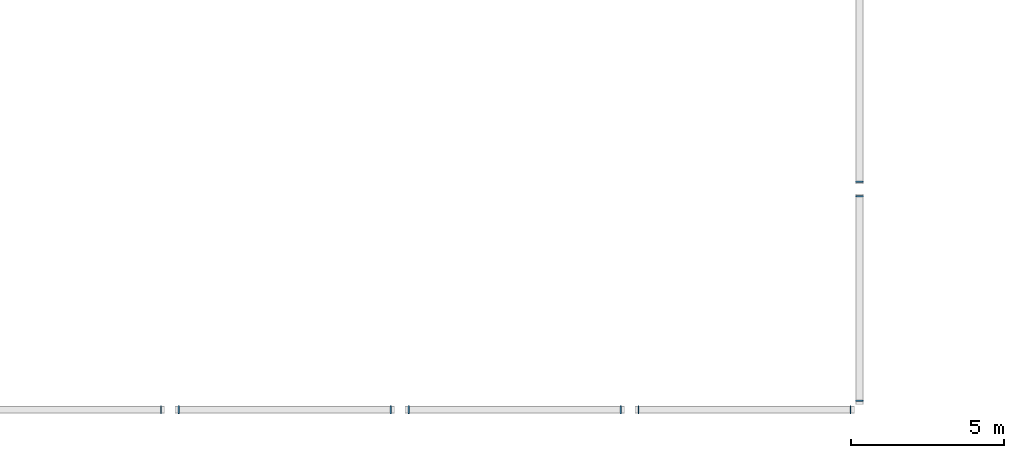
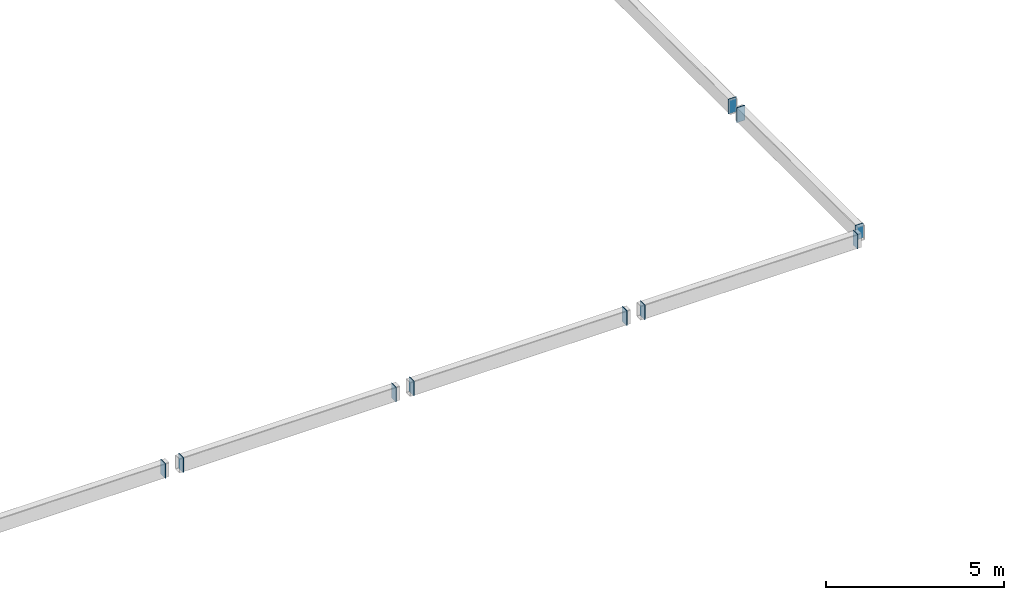
# One storey, part 30 of 45: 10 plates.
"""IFC4 building model written with IfcOpenShell, lengths in metres."""

from ifc_helpers import new_model, si_unit, direction, frame, origin, origin_2d, place, context, subcontext, project, spatial, rectangle, extrude, material, layer, layer_set, type_object, element, save


model = new_model("IFC4")

# Units and contexts
model_context = context("Model", 3, precision=1e-05, world=origin(), true_north=direction((0.0, 1.0)))
body_context = subcontext(model_context, "Body", "Model", "MODEL_VIEW")
ifc_project = project(units=[si_unit("LENGTHUNIT", "METRE"), si_unit("AREAUNIT", "SQUARE_METRE"), si_unit("VOLUMEUNIT", "CUBIC_METRE"), si_unit("PLANEANGLEUNIT", "RADIAN"), si_unit("MASSUNIT", "GRAM", prefix="KILO")], contexts=[model_context])

# Site, building, storey
site_placement = place(None, origin())
site = spatial("IfcSite", under=ifc_project, at=site_placement, CompositionType="ELEMENT")
building_placement = place(site_placement, origin())
building = spatial("IfcBuilding", under=site, at=building_placement, Name="Yukiwa Park Conservatory and Herbarium", CompositionType="ELEMENT")
storey_placement = place(building_placement, frame((0.0, 0.0, 9.0)))
storey = spatial("IfcBuildingStorey", under=building, at=storey_placement, Name="L02", CompositionType="ELEMENT", Elevation=9.0)

# Plates
ifc_material = material(Name="Steel Q355D", Category="steel")
ifc_layer = layer(ifc_material, 0.02392578125)
ifc_layer_set = layer_set([ifc_layer], Name="Steel Q355D")
plate_type = type_object("IfcPlateType", Name="PL-CAP-24", PredefinedType="USERDEFINED", material=ifc_layer_set)
for number, where, z_axis, x_axis, name in (
    (1, (37.197021484375, 0.0, -0.25), (1.0, 0.0, 0.0), (0.0, 1.0, 0.0), "Hollow section end cap plate CAP-VRNG-S-5B"),
    (2, (37.802978515625, 0.0, -0.25), (-1.0, 0.0, 0.0), (0.0, -1.0, 0.0), "Hollow section end cap plate CAP-VRNG-S-6A"),
    (3, (44.697021484375, 0.0, -0.25), (1.0, 0.0, 0.0), (0.0, 1.0, 0.0), "Hollow section end cap plate CAP-VRNG-S-6B"),
    (4, (45.302978515625, 0.0, -0.25), (-1.0, 0.0, 0.0), (0.0, -1.0, 0.0), "Hollow section end cap plate CAP-VRNG-S-7A"),
    (5, (52.197021484375, 0.0, -0.25), (1.0, 0.0, 0.0), (0.0, 1.0, 0.0), "Hollow section end cap plate CAP-VRNG-S-7B"),
    (6, (52.802978515625, 0.0, -0.25), (-1.0, 0.0, 0.0), (0.0, -1.0, 0.0), "Hollow section end cap plate CAP-VRNG-S-8A"),
    (7, (59.697021484375, 0.0, -0.25), (1.0, 0.0, 0.0), (0.0, 1.0, 0.0), "Hollow section end cap plate CAP-VRNG-S-8B"),
    (8, (60.0, 0.302978515625, -0.25), (0.0, -1.0, 0.0), (1.0, 0.0, 0.0), "Hollow section end cap plate CAP-VGBL-E-1A"),
):
    element("IfcPlate", number, at=place(storey_placement, frame(where, z_axis=z_axis, x_axis=x_axis)), inside=storey, type_object=plate_type, Name=name, ObjectType="END CAP PLATE", PredefinedType="USERDEFINED", context=body_context, shape_type="SweptSolid", body=[
        extrude(rectangle(XDim=0.258056640625, YDim=0.508056640625, at=origin_2d()), origin(), (0.0, 0.0, 1.0), 0.02392578125),
    ])
plate_1_placement = place(storey_placement, frame((60.0, 6.949951171875, -0.25), z_axis=(0.0, 1.0, 0.0), x_axis=(-1.0, 0.0, 0.0)))
element("IfcPlate", 9, at=plate_1_placement, inside=storey, type_object=plate_type, Name="Hollow section end cap plate CAP-VGBL-E-1B", ObjectType="END CAP PLATE", PredefinedType="USERDEFINED", context=body_context, shape_type="SweptSolid", body=[
    extrude(rectangle(XDim=0.258056640625, YDim=0.508056640625, at=origin_2d()), origin(), (0.0, 0.0, 1.0), 0.024169921875),
])
plate_2_placement = place(storey_placement, frame((60.0, 7.449951171875, -0.25), z_axis=(0.0, -1.0, 0.0), x_axis=(1.0, 0.0, 0.0)))
element("IfcPlate", 10, at=plate_2_placement, inside=storey, type_object=plate_type, Name="Hollow section end cap plate CAP-VGBL-E-2A", ObjectType="END CAP PLATE", PredefinedType="USERDEFINED", context=body_context, shape_type="SweptSolid", body=[
    extrude(rectangle(XDim=0.258056640625, YDim=0.508056640625, at=origin_2d()), origin(), (0.0, 0.0, 1.0), 0.02392578125),
])

save(model, "model.ifc")
